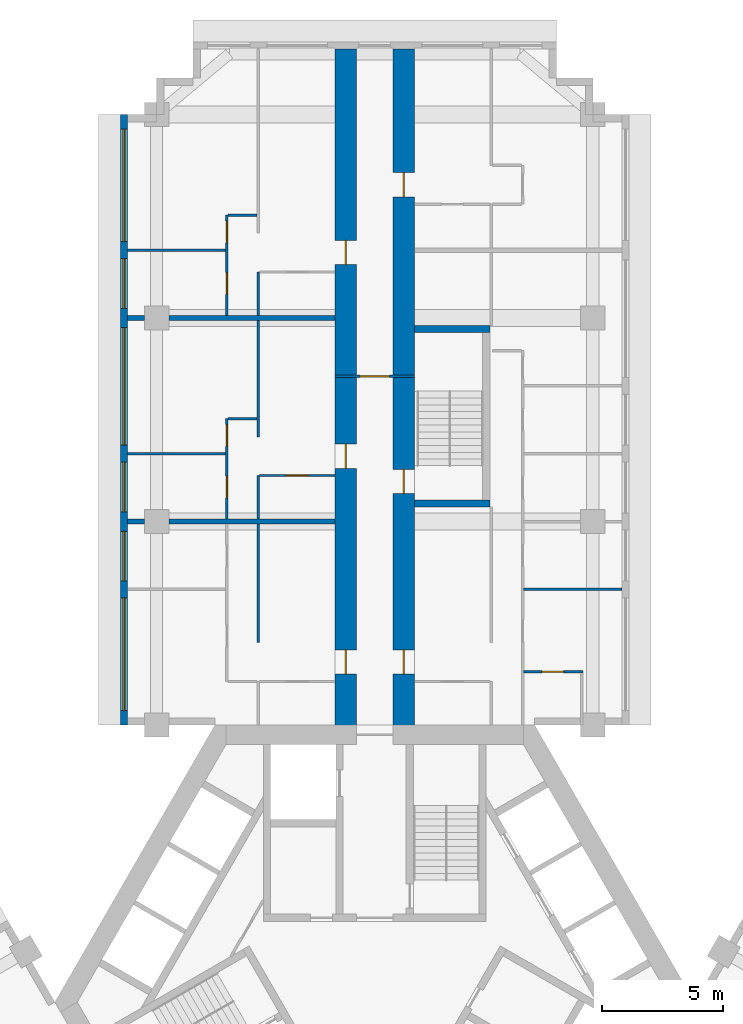
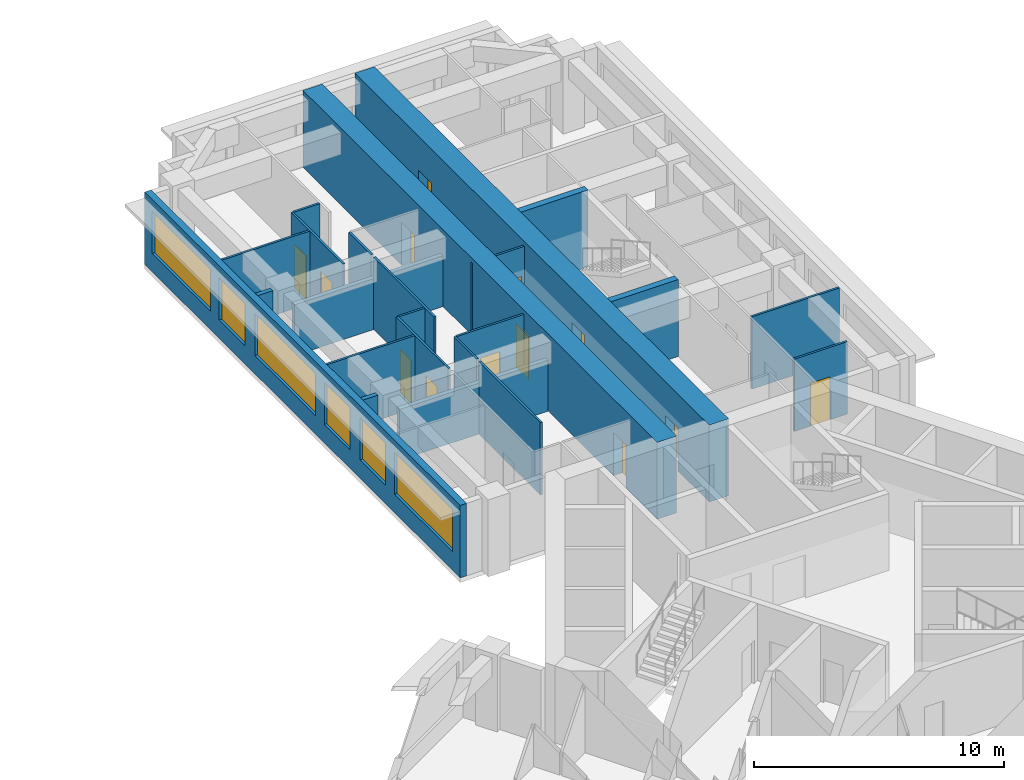
# One storey, part 9 of 14: 23 walls, 13 doors, 6 windows, 19 openings.
"""IFC4 building model written with IfcOpenShell, lengths in metres."""

from ifc_helpers import new_model, si_unit, direction, frame, frame_2d, origin, place, context, subcontext, project, spatial, rectangle, extrude, material, layer, layer_set, type_object, element, fill, save


model = new_model("IFC4")

# Units and contexts
model_context = context("Model", 3, precision=1e-05, world=origin(), true_north=direction((0.0, 1.0)))
body_context = subcontext(model_context, "Body", "Model", "MODEL_VIEW")
ifc_project = project(units=[si_unit("LENGTHUNIT", "METRE"), si_unit("AREAUNIT", "SQUARE_METRE"), si_unit("VOLUMEUNIT", "CUBIC_METRE"), si_unit("PLANEANGLEUNIT", "RADIAN"), si_unit("MASSUNIT", "GRAM", prefix="KILO")], contexts=[model_context])

# Site, building, storey
site_placement = place(None, origin())
site = spatial("IfcSite", under=ifc_project, at=site_placement, CompositionType="ELEMENT")
building_placement = place(site_placement, origin())
building = spatial("IfcBuilding", under=site, at=building_placement, Name="Impinga Residences", CompositionType="ELEMENT")
storey_placement = place(building_placement, frame((0.0, 0.0, 128.5)))
storey = spatial("IfcBuildingStorey", under=building, at=storey_placement, Name="L31", CompositionType="ELEMENT", Elevation=128.5)

# Wall, openings, doors
ifc_material_1 = material(Name="Concrete C60/75", Category="concrete")
ifc_layer_1 = layer(ifc_material_1, 0.89990234375)
ifc_layer_set_1 = layer_set([ifc_layer_1], Name="Concrete C60/75")
wall_type_1 = type_object("IfcWallType", Name="BW2 corridor buttress wall, L24 to L44 900", PredefinedType="SHEAR", material=ifc_layer_set_1)
wall_1_placement = place(storey_placement, frame((-1.199951171875, 11.031494140625, 0.0), z_axis=(0.0, 0.0, 1.0), x_axis=(0.0, 1.0, 0.0)))
wall_1 = element("IfcWall", 1, at=wall_1_placement, inside=storey, type_object=wall_type_1, Name="Corridor wall BW2 NC L31", PredefinedType="SHEAR", context=body_context, shape_type="SweptSolid", body=[
    extrude(rectangle(XDim=28.300048828125, YDim=0.89990234375, at=frame_2d((14.14990234375, 0.0))), origin(), (0.0, 0.0, 1.0), 3.75),
])
opening_1_placement = place(wall_1_placement, frame((2.5, 0.0, 0.0)))
opening_1 = element("IfcOpeningElement", 2, at=opening_1_placement, cuts=wall_1, Name="Opening D1", PredefinedType="OPENING", context=body_context, shape_type="SweptSolid", body=[
    extrude(rectangle(XDim=1.0, YDim=2.10009765625, at=frame_2d((0.5, 1.050048828125))), frame((0.0, 0.4599609375, 0.0), z_axis=(0.0, -1.0, 0.0), x_axis=(1.0, 0.0, 0.0)), (0.0, 0.0, 1.0), 0.919921875),
])
opening_2_placement = place(wall_1_placement, frame((11.0, 0.0, 0.0)))
opening_2 = element("IfcOpeningElement", 3, at=opening_2_placement, cuts=wall_1, Name="Opening D1", PredefinedType="OPENING", context=body_context, shape_type="SweptSolid", body=[
    extrude(rectangle(XDim=1.0, YDim=2.10009765625, at=frame_2d((0.5, 1.050048828125))), frame((0.0, 0.4599609375, 0.0), z_axis=(0.0, -1.0, 0.0), x_axis=(1.0, 0.0, 0.0)), (0.0, 0.0, 1.0), 0.919921875),
])
opening_3_placement = place(wall_1_placement, frame((19.39990234375, 0.0, 0.0)))
opening_3 = element("IfcOpeningElement", 4, at=opening_3_placement, cuts=wall_1, Name="Opening D1", PredefinedType="OPENING", context=body_context, shape_type="SweptSolid", body=[
    extrude(rectangle(XDim=1.0, YDim=2.10009765625, at=frame_2d((0.5, 1.050048828125))), frame((0.0, 0.4599609375, 0.0), z_axis=(0.0, -1.0, 0.0), x_axis=(1.0, 0.0, 0.0)), (0.0, 0.0, 1.0), 0.919921875),
])
ifc_material_2 = material(Name="Timber door set", Category="wood")
door_type_1 = type_object("IfcDoorType", Name="D1 apartment entrance door 1000x2100", OperationType="SINGLE_SWING_LEFT", PredefinedType="DOOR", material=ifc_material_2)
door_1_placement = place(opening_1_placement, origin())
door_1 = element("IfcDoor", 5, at=door_1_placement, inside=storey, type_object=door_type_1, Name="Apartment L31-NA1 entrance", OperationType="SINGLE_SWING_LEFT", OverallHeight=2.10009765625, OverallWidth=1.0, PredefinedType="DOOR", context=body_context, shape_type="SweptSolid", body=[
    extrude(rectangle(XDim=1.0, YDim=2.10009765625, at=frame_2d((0.5, 1.050048828125))), frame((0.0, 0.02490234375, 0.0), z_axis=(0.0, -1.0, 0.0), x_axis=(1.0, 0.0, 0.0)), (0.0, 0.0, 1.0), 0.050048828125),
])
fill(opening_1, door_1)
door_2_placement = place(opening_2_placement, origin())
door_2 = element("IfcDoor", 6, at=door_2_placement, inside=storey, type_object=door_type_1, Name="Apartment L31-NA2 entrance", OperationType="SINGLE_SWING_LEFT", OverallHeight=2.10009765625, OverallWidth=1.0, PredefinedType="DOOR", context=body_context, shape_type="SweptSolid", body=[
    extrude(rectangle(XDim=1.0, YDim=2.10009765625, at=frame_2d((0.5, 1.050048828125))), frame((0.0, 0.02490234375, 0.0), z_axis=(0.0, -1.0, 0.0), x_axis=(1.0, 0.0, 0.0)), (0.0, 0.0, 1.0), 0.050048828125),
])
fill(opening_2, door_2)
door_3_placement = place(opening_3_placement, origin())
door_3 = element("IfcDoor", 7, at=door_3_placement, inside=storey, type_object=door_type_1, Name="Apartment L31-NA3 entrance", OperationType="SINGLE_SWING_RIGHT", OverallHeight=2.10009765625, OverallWidth=1.0, PredefinedType="DOOR", context=body_context, shape_type="SweptSolid", body=[
    extrude(rectangle(XDim=1.0, YDim=2.10009765625, at=frame_2d((0.5, 1.050048828125))), frame((0.0, 0.02490234375, 0.0), z_axis=(0.0, -1.0, 0.0), x_axis=(1.0, 0.0, 0.0)), (0.0, 0.0, 1.0), 0.050048828125),
])
fill(opening_3, door_3)

wall_2_placement = place(storey_placement, frame((1.199951171875, 11.031494140625, 0.0), z_axis=(0.0, 0.0, 1.0), x_axis=(0.0, 1.0, 0.0)))
wall_2 = element("IfcWall", 8, at=wall_2_placement, inside=storey, type_object=wall_type_1, Name="Corridor wall BW2 ND L31", PredefinedType="SHEAR", context=body_context, shape_type="SweptSolid", body=[
    extrude(rectangle(XDim=28.300048828125, YDim=0.89990234375, at=frame_2d((14.14990234375, 0.0))), origin(), (0.0, 0.0, 1.0), 3.75),
])
opening_4_placement = place(wall_2_placement, frame((9.949951171875, 0.0, 0.0)))
opening_4 = element("IfcOpeningElement", 9, at=opening_4_placement, cuts=wall_2, Name="Opening D5", PredefinedType="OPENING", context=body_context, shape_type="SweptSolid", body=[
    extrude(rectangle(XDim=1.0, YDim=2.10009765625, at=frame_2d((0.5, 1.050048828125))), frame((0.0, 0.4599609375, 0.0), z_axis=(0.0, -1.0, 0.0), x_axis=(1.0, 0.0, 0.0)), (0.0, 0.0, 1.0), 0.919921875),
])
opening_5_placement = place(wall_2_placement, frame((2.5, 0.0, 0.0)))
opening_5 = element("IfcOpeningElement", 10, at=opening_5_placement, cuts=wall_2, Name="Opening D1", PredefinedType="OPENING", context=body_context, shape_type="SweptSolid", body=[
    extrude(rectangle(XDim=1.0, YDim=2.10009765625, at=frame_2d((0.5, 1.050048828125))), frame((0.0, 0.4599609375, 0.0), z_axis=(0.0, -1.0, 0.0), x_axis=(1.0, 0.0, 0.0)), (0.0, 0.0, 1.0), 0.919921875),
])
opening_6_placement = place(wall_2_placement, frame((22.199951171875, 0.0, 0.0)))
opening_6 = element("IfcOpeningElement", 11, at=opening_6_placement, cuts=wall_2, Name="Opening D1", PredefinedType="OPENING", context=body_context, shape_type="SweptSolid", body=[
    extrude(rectangle(XDim=1.0, YDim=2.10009765625, at=frame_2d((0.5, 1.050048828125))), frame((0.0, 0.4599609375, 0.0), z_axis=(0.0, -1.0, 0.0), x_axis=(1.0, 0.0, 0.0)), (0.0, 0.0, 1.0), 0.919921875),
])
door_4_placement = place(opening_5_placement, origin())
door_4 = element("IfcDoor", 12, at=door_4_placement, inside=storey, type_object=door_type_1, Name="Apartment L31-NF1 entrance", OperationType="SINGLE_SWING_LEFT", OverallHeight=2.10009765625, OverallWidth=1.0, PredefinedType="DOOR", context=body_context, shape_type="SweptSolid", body=[
    extrude(rectangle(XDim=1.0, YDim=2.10009765625, at=frame_2d((0.5, 1.050048828125))), frame((0.0, 0.02490234375, 0.0), z_axis=(0.0, -1.0, 0.0), x_axis=(1.0, 0.0, 0.0)), (0.0, 0.0, 1.0), 0.050048828125),
])
fill(opening_5, door_4)
door_5_placement = place(opening_6_placement, origin())
door_5 = element("IfcDoor", 13, at=door_5_placement, inside=storey, type_object=door_type_1, Name="Apartment L31-NF2 entrance", OperationType="SINGLE_SWING_RIGHT", OverallHeight=2.10009765625, OverallWidth=1.0, PredefinedType="DOOR", context=body_context, shape_type="SweptSolid", body=[
    extrude(rectangle(XDim=1.0, YDim=2.10009765625, at=frame_2d((0.5, 1.050048828125))), frame((0.0, 0.02490234375, 0.0), z_axis=(0.0, -1.0, 0.0), x_axis=(1.0, 0.0, 0.0)), (0.0, 0.0, 1.0), 0.050048828125),
])
fill(opening_6, door_5)
door_type_2 = type_object("IfcDoorType", Name="D5 stair door 1000x2100", OperationType="SINGLE_SWING_LEFT", PredefinedType="DOOR", material=ifc_material_2)
door_6_placement = place(opening_4_placement, origin())
door_6 = element("IfcDoor", 14, at=door_6_placement, inside=storey, type_object=door_type_2, Name="Wing stair door N", OperationType="SINGLE_SWING_LEFT", OverallHeight=2.10009765625, OverallWidth=1.0, PredefinedType="DOOR", context=body_context, shape_type="SweptSolid", body=[
    extrude(rectangle(XDim=1.0, YDim=2.10009765625, at=frame_2d((0.5, 1.050048828125))), frame((0.0, 0.02490234375, 0.0), z_axis=(0.0, -1.0, 0.0), x_axis=(1.0, 0.0, 0.0)), (0.0, 0.0, 1.0), 0.050048828125),
])
fill(opening_4, door_6)

# Wall, opening, door
ifc_material_3 = material(Name="Concrete blockwork", Category="masonry")
ifc_layer_2 = layer(ifc_material_3, 0.10009765625)
ifc_layer_set_2 = layer_set([ifc_layer_2], Name="CP1 core room partition, blockwork 100")
wall_type_2 = type_object("IfcWallType", Name="CP1 core room partition, blockwork 100", PredefinedType="PARTITIONING", material=ifc_layer_set_2)
wall_3_placement = place(storey_placement, frame((-1.64990234375, 25.83154296875, 0.0), z_axis=(0.0, 0.0, 1.0), x_axis=(1.0, 0.0, 0.0)))
wall_3 = element("IfcWall", 15, at=wall_3_placement, inside=storey, type_object=wall_type_2, Name="Core room partition, blockwork L31:N:PLB", PredefinedType="PARTITIONING", context=body_context, shape_type="SweptSolid", body=[
    extrude(rectangle(XDim=3.2998046875, YDim=0.10009765625, at=frame_2d((1.64990234375, 0.0))), origin(), (0.0, 0.0, 1.0), 3.530029296875),
])
opening_7_placement = place(wall_3_placement, frame((1.050048828125, 0.0, 0.0)))
opening_7 = element("IfcOpeningElement", 16, at=opening_7_placement, cuts=wall_3, Name="Opening D3", PredefinedType="OPENING", context=body_context, shape_type="SweptSolid", body=[
    extrude(rectangle(XDim=1.199951171875, YDim=2.10009765625, at=frame_2d((0.60009765625, 1.050048828125))), frame((0.0, 0.06005859375, 0.0), z_axis=(0.0, -1.0, 0.0), x_axis=(1.0, 0.0, 0.0)), (0.0, 0.0, 1.0), 0.1201171875),
])
door_type_3 = type_object("IfcDoorType", Name="D3 room door, leaf and a half 1200x2100", OperationType="DOUBLE_SWING_LEFT", PredefinedType="DOOR", material=ifc_material_2)
door_7_placement = place(opening_7_placement, origin())
door_7 = element("IfcDoor", 17, at=door_7_placement, inside=storey, type_object=door_type_3, Name="Private lobby door N", OperationType="DOUBLE_SWING_LEFT", OverallHeight=2.10009765625, OverallWidth=1.199951171875, PredefinedType="DOOR", context=body_context, shape_type="SweptSolid", body=[
    extrude(rectangle(XDim=1.199951171875, YDim=2.10009765625, at=frame_2d((0.60009765625, 1.050048828125))), frame((0.0, 0.02490234375, 0.0), z_axis=(0.0, -1.0, 0.0), x_axis=(1.0, 0.0, 0.0)), (0.0, 0.0, 1.0), 0.050048828125),
])
fill(opening_7, door_7)

# Wall, openings, windows
ifc_material_4 = material(Name="Terracotta rainscreen on blockwork", Category="masonry")
ifc_layer_3 = layer(ifc_material_4, 0.300048828125)
ifc_layer_set_3 = layer_set([ifc_layer_3], Name="EW1 external wall, terracotta rainscreen on blockwork 300")
wall_type_3 = type_object("IfcWallType", Name="EW1 external wall, terracotta rainscreen on blockwork 300", PredefinedType="SOLIDWALL", material=ifc_layer_set_3)
wall_4_placement = place(storey_placement, frame((-10.35009765625, 11.431640625, 0.0), z_axis=(0.0, 0.0, 1.0), x_axis=(0.0, 1.0, 0.0)))
wall_4 = element("IfcWall", 18, at=wall_4_placement, inside=storey, type_object=wall_type_3, Name="External wall EW1 L31", PredefinedType="SOLIDWALL", context=body_context, shape_type="SweptSolid", body=[
    extrude(rectangle(XDim=25.199951171875, YDim=0.300048828125, at=frame_2d((12.60009765625, 0.0))), origin(), (0.0, 0.0, 1.0), 3.530029296875),
])
opening_8_placement = place(wall_4_placement, frame((0.60009765625, 0.0, 0.89990234375)))
opening_8 = element("IfcOpeningElement", 19, at=opening_8_placement, cuts=wall_4, Name="Opening W10", PredefinedType="OPENING", context=body_context, shape_type="SweptSolid", body=[
    extrude(rectangle(XDim=4.64990234375, YDim=2.050048828125, at=frame_2d((2.324951171875, 1.02490234375))), frame((0.0, 0.159912109375, 0.0), z_axis=(0.0, -1.0, 0.0), x_axis=(1.0, 0.0, 0.0)), (0.0, 0.0, 1.0), 0.320068359375),
])
opening_9_placement = place(wall_4_placement, frame((5.949951171875, 0.0, 0.89990234375)))
opening_9 = element("IfcOpeningElement", 20, at=opening_9_placement, cuts=wall_4, Name="Opening W14", PredefinedType="OPENING", context=body_context, shape_type="SweptSolid", body=[
    extrude(rectangle(XDim=2.050048828125, YDim=2.050048828125, at=frame_2d((1.02490234375, 1.02490234375))), frame((0.0, 0.159912109375, 0.0), z_axis=(0.0, -1.0, 0.0), x_axis=(1.0, 0.0, 0.0)), (0.0, 0.0, 1.0), 0.320068359375),
])
opening_10_placement = place(wall_4_placement, frame((8.800048828125, 0.0, 0.89990234375)))
opening_10 = element("IfcOpeningElement", 21, at=opening_10_placement, cuts=wall_4, Name="Opening W14", PredefinedType="OPENING", context=body_context, shape_type="SweptSolid", body=[
    extrude(rectangle(XDim=2.050048828125, YDim=2.050048828125, at=frame_2d((1.02490234375, 1.02490234375))), frame((0.0, 0.159912109375, 0.0), z_axis=(0.0, -1.0, 0.0), x_axis=(1.0, 0.0, 0.0)), (0.0, 0.0, 1.0), 0.320068359375),
])
opening_11_placement = place(wall_4_placement, frame((11.550048828125, 0.0, 0.89990234375)))
opening_11 = element("IfcOpeningElement", 22, at=opening_11_placement, cuts=wall_4, Name="Opening W6", PredefinedType="OPENING", context=body_context, shape_type="SweptSolid", body=[
    extrude(rectangle(XDim=4.85009765625, YDim=2.050048828125, at=frame_2d((2.425048828125, 1.02490234375))), frame((0.0, 0.159912109375, 0.0), z_axis=(0.0, -1.0, 0.0), x_axis=(1.0, 0.0, 0.0)), (0.0, 0.0, 1.0), 0.320068359375),
])
opening_12_placement = place(wall_4_placement, frame((17.199951171875, 0.0, 0.89990234375)))
opening_12 = element("IfcOpeningElement", 23, at=opening_12_placement, cuts=wall_4, Name="Opening W14", PredefinedType="OPENING", context=body_context, shape_type="SweptSolid", body=[
    extrude(rectangle(XDim=2.050048828125, YDim=2.050048828125, at=frame_2d((1.02490234375, 1.02490234375))), frame((0.0, 0.159912109375, 0.0), z_axis=(0.0, -1.0, 0.0), x_axis=(1.0, 0.0, 0.0)), (0.0, 0.0, 1.0), 0.320068359375),
])
opening_13_placement = place(wall_4_placement, frame((19.949951171875, 0.0, 0.89990234375)))
opening_13 = element("IfcOpeningElement", 24, at=opening_13_placement, cuts=wall_4, Name="Opening W10", PredefinedType="OPENING", context=body_context, shape_type="SweptSolid", body=[
    extrude(rectangle(XDim=4.64990234375, YDim=2.050048828125, at=frame_2d((2.324951171875, 1.02490234375))), frame((0.0, 0.159912109375, 0.0), z_axis=(0.0, -1.0, 0.0), x_axis=(1.0, 0.0, 0.0)), (0.0, 0.0, 1.0), 0.320068359375),
])
ifc_material_5 = material(Name="Aluminium window, clear double glazing", Category="aluminium")
window_type_1 = type_object("IfcWindowType", Name="W10 ribbon window 4650x2050", PartitioningType="SINGLE_PANEL", PredefinedType="WINDOW", material=ifc_material_5)
window_1_placement = place(opening_8_placement, origin())
window_1 = element("IfcWindow", 25, at=window_1_placement, inside=storey, type_object=window_type_1, Name="Window L31", OverallHeight=2.050048828125, OverallWidth=4.64990234375, PartitioningType="SINGLE_PANEL", PredefinedType="WINDOW", context=body_context, shape_type="SweptSolid", body=[
    extrude(rectangle(XDim=4.64990234375, YDim=2.050048828125, at=frame_2d((2.324951171875, 1.02490234375))), frame((0.0, 0.030029296875, 0.0), z_axis=(0.0, -1.0, 0.0), x_axis=(1.0, 0.0, 0.0)), (0.0, 0.0, 1.0), 0.06005859375),
])
fill(opening_8, window_1)
window_2_placement = place(opening_13_placement, origin())
window_2 = element("IfcWindow", 26, at=window_2_placement, inside=storey, type_object=window_type_1, Name="Window L31", OverallHeight=2.050048828125, OverallWidth=4.64990234375, PartitioningType="SINGLE_PANEL", PredefinedType="WINDOW", context=body_context, shape_type="SweptSolid", body=[
    extrude(rectangle(XDim=4.64990234375, YDim=2.050048828125, at=frame_2d((2.324951171875, 1.02490234375))), frame((0.0, 0.030029296875, 0.0), z_axis=(0.0, -1.0, 0.0), x_axis=(1.0, 0.0, 0.0)), (0.0, 0.0, 1.0), 0.06005859375),
])
fill(opening_13, window_2)
window_type_2 = type_object("IfcWindowType", Name="W14 ribbon window 2050x2050", PartitioningType="SINGLE_PANEL", PredefinedType="WINDOW", material=ifc_material_5)
window_3_placement = place(opening_9_placement, origin())
window_3 = element("IfcWindow", 27, at=window_3_placement, inside=storey, type_object=window_type_2, Name="Window L31", OverallHeight=2.050048828125, OverallWidth=2.050048828125, PartitioningType="SINGLE_PANEL", PredefinedType="WINDOW", context=body_context, shape_type="SweptSolid", body=[
    extrude(rectangle(XDim=2.050048828125, YDim=2.050048828125, at=frame_2d((1.02490234375, 1.02490234375))), frame((0.0, 0.030029296875, 0.0), z_axis=(0.0, -1.0, 0.0), x_axis=(1.0, 0.0, 0.0)), (0.0, 0.0, 1.0), 0.06005859375),
])
fill(opening_9, window_3)
window_4_placement = place(opening_10_placement, origin())
window_4 = element("IfcWindow", 28, at=window_4_placement, inside=storey, type_object=window_type_2, Name="Window L31", OverallHeight=2.050048828125, OverallWidth=2.050048828125, PartitioningType="SINGLE_PANEL", PredefinedType="WINDOW", context=body_context, shape_type="SweptSolid", body=[
    extrude(rectangle(XDim=2.050048828125, YDim=2.050048828125, at=frame_2d((1.02490234375, 1.02490234375))), frame((0.0, 0.030029296875, 0.0), z_axis=(0.0, -1.0, 0.0), x_axis=(1.0, 0.0, 0.0)), (0.0, 0.0, 1.0), 0.06005859375),
])
fill(opening_10, window_4)
window_5_placement = place(opening_12_placement, origin())
window_5 = element("IfcWindow", 29, at=window_5_placement, inside=storey, type_object=window_type_2, Name="Window L31", OverallHeight=2.050048828125, OverallWidth=2.050048828125, PartitioningType="SINGLE_PANEL", PredefinedType="WINDOW", context=body_context, shape_type="SweptSolid", body=[
    extrude(rectangle(XDim=2.050048828125, YDim=2.050048828125, at=frame_2d((1.02490234375, 1.02490234375))), frame((0.0, 0.030029296875, 0.0), z_axis=(0.0, -1.0, 0.0), x_axis=(1.0, 0.0, 0.0)), (0.0, 0.0, 1.0), 0.06005859375),
])
fill(opening_12, window_5)
window_type_3 = type_object("IfcWindowType", Name="W6 ribbon window 4850x2050", PartitioningType="SINGLE_PANEL", PredefinedType="WINDOW", material=ifc_material_5)
window_6_placement = place(opening_11_placement, origin())
window_6 = element("IfcWindow", 30, at=window_6_placement, inside=storey, type_object=window_type_3, Name="Window L31", OverallHeight=2.050048828125, OverallWidth=4.85009765625, PartitioningType="SINGLE_PANEL", PredefinedType="WINDOW", context=body_context, shape_type="SweptSolid", body=[
    extrude(rectangle(XDim=4.85009765625, YDim=2.050048828125, at=frame_2d((2.425048828125, 1.02490234375))), frame((0.0, 0.030029296875, 0.0), z_axis=(0.0, -1.0, 0.0), x_axis=(1.0, 0.0, 0.0)), (0.0, 0.0, 1.0), 0.06005859375),
])
fill(opening_11, window_6)

# Walls
ifc_material_6 = material(Name="Gypsum board on steel studs", Category="steel")
ifc_layer_4 = layer(ifc_material_6, 0.10009765625)
ifc_layer_set_4 = layer_set([ifc_layer_4], Name="Gypsum board on steel studs")
wall_type_4 = type_object("IfcWallType", Name="IP1 partition 100", PredefinedType="PARTITIONING", material=ifc_layer_set_4)
wall_5_placement = place(storey_placement, frame((-4.800048828125, 14.83154296875, 0.0), z_axis=(0.0, 0.0, 1.0), x_axis=(0.0, 1.0, 0.0)))
element("IfcWall", 31, at=wall_5_placement, inside=storey, type_object=wall_type_4, Name="Partition L31-NA1:DIV1", PredefinedType="PARTITIONING", context=body_context, shape_type="SweptSolid", body=[
    extrude(rectangle(XDim=4.89990234375, YDim=0.10009765625, at=frame_2d((2.449951171875, 0.0))), origin(), (0.0, 0.0, 1.0), 3.530029296875),
])
wall_6_placement = place(storey_placement, frame((-4.800048828125, 19.931640625, 0.0), z_axis=(0.0, 0.0, 1.0), x_axis=(0.0, 1.0, 0.0)))
element("IfcWall", 32, at=wall_6_placement, inside=storey, type_object=wall_type_4, Name="Partition L31-NA2:DIV0", PredefinedType="PARTITIONING", context=body_context, shape_type="SweptSolid", body=[
    extrude(rectangle(XDim=1.7998046875, YDim=0.10009765625, at=frame_2d((0.89990234375, 0.0))), origin(), (0.0, 0.0, 1.0), 3.530029296875),
])
wall_7_placement = place(storey_placement, frame((-4.800048828125, 23.33154296875, 0.0), z_axis=(0.0, 0.0, 1.0), x_axis=(0.0, 1.0, 0.0)))
element("IfcWall", 33, at=wall_7_placement, inside=storey, type_object=wall_type_4, Name="Partition L31-NA2:DIV1", PredefinedType="PARTITIONING", context=body_context, shape_type="SweptSolid", body=[
    extrude(rectangle(XDim=4.800048828125, YDim=0.10009765625, at=frame_2d((2.39990234375, 0.0))), origin(), (0.0, 0.0, 1.0), 3.530029296875),
])

# Wall, openings, doors
wall_8_placement = place(storey_placement, frame((-6.10009765625, 19.931640625, 0.0), z_axis=(0.0, 0.0, 1.0), x_axis=(0.0, 1.0, 0.0)))
wall_8 = element("IfcWall", 34, at=wall_8_placement, inside=storey, type_object=wall_type_4, Name="Partition L31-NA2:STRIP", PredefinedType="PARTITIONING", context=body_context, shape_type="SweptSolid", body=[
    extrude(rectangle(XDim=4.14990234375, YDim=0.10009765625, at=frame_2d((2.074951171875, 0.0))), origin(), (0.0, 0.0, 1.0), 3.530029296875),
])
opening_14_placement = place(wall_8_placement, frame((0.875, 0.0, 0.0)))
opening_14 = element("IfcOpeningElement", 35, at=opening_14_placement, cuts=wall_8, Name="Opening D2", PredefinedType="OPENING", context=body_context, shape_type="SweptSolid", body=[
    extrude(rectangle(XDim=0.89990234375, YDim=2.10009765625, at=frame_2d((0.449951171875, 1.050048828125))), frame((0.0, 0.06005859375, 0.0), z_axis=(0.0, -1.0, 0.0), x_axis=(1.0, 0.0, 0.0)), (0.0, 0.0, 1.0), 0.1201171875),
])
opening_15_placement = place(wall_8_placement, frame((3.0, 0.0, 0.0)))
opening_15 = element("IfcOpeningElement", 36, at=opening_15_placement, cuts=wall_8, Name="Opening D2", PredefinedType="OPENING", context=body_context, shape_type="SweptSolid", body=[
    extrude(rectangle(XDim=0.89990234375, YDim=2.10009765625, at=frame_2d((0.449951171875, 1.050048828125))), frame((0.0, 0.06005859375, 0.0), z_axis=(0.0, -1.0, 0.0), x_axis=(1.0, 0.0, 0.0)), (0.0, 0.0, 1.0), 0.1201171875),
])
door_type_4 = type_object("IfcDoorType", Name="D2 internal door 900x2100", OperationType="SINGLE_SWING_LEFT", PredefinedType="DOOR", material=ifc_material_2)
door_8_placement = place(opening_14_placement, origin())
door_8 = element("IfcDoor", 37, at=door_8_placement, inside=storey, type_object=door_type_4, Name="Apartment L31-NA2 room door", OperationType="SINGLE_SWING_LEFT", OverallHeight=2.10009765625, OverallWidth=0.89990234375, PredefinedType="DOOR", context=body_context, shape_type="SweptSolid", body=[
    extrude(rectangle(XDim=0.89990234375, YDim=2.10009765625, at=frame_2d((0.449951171875, 1.050048828125))), frame((0.0, 0.02490234375, 0.0), z_axis=(0.0, -1.0, 0.0), x_axis=(1.0, 0.0, 0.0)), (0.0, 0.0, 1.0), 0.050048828125),
])
fill(opening_14, door_8)
door_9_placement = place(opening_15_placement, origin())
door_9 = element("IfcDoor", 38, at=door_9_placement, inside=storey, type_object=door_type_4, Name="Apartment L31-NA2 room door", OperationType="SINGLE_SWING_RIGHT", OverallHeight=2.10009765625, OverallWidth=0.89990234375, PredefinedType="DOOR", context=body_context, shape_type="SweptSolid", body=[
    extrude(rectangle(XDim=0.89990234375, YDim=2.10009765625, at=frame_2d((0.449951171875, 1.050048828125))), frame((0.0, 0.02490234375, 0.0), z_axis=(0.0, -1.0, 0.0), x_axis=(1.0, 0.0, 0.0)), (0.0, 0.0, 1.0), 0.050048828125),
])
fill(opening_15, door_9)

# Wall
wall_9_placement = place(storey_placement, frame((-4.85009765625, 24.08154296875, 0.0), z_axis=(0.0, 0.0, 1.0), x_axis=(-1.0, 0.0, 0.0)))
element("IfcWall", 39, at=wall_9_placement, inside=storey, type_object=wall_type_4, Name="Partition L31-NA2:SE1", PredefinedType="PARTITIONING", context=body_context, shape_type="SweptSolid", body=[
    extrude(rectangle(XDim=1.199951171875, YDim=0.10009765625, at=frame_2d((0.60009765625, 0.0))), origin(), (0.0, 0.0, 1.0), 3.530029296875),
])

# Wall, opening, door
wall_10_placement = place(storey_placement, frame((-1.64990234375, 21.7314453125, 0.0), z_axis=(0.0, 0.0, 1.0), x_axis=(-1.0, 0.0, 0.0)))
wall_10 = element("IfcWall", 40, at=wall_10_placement, inside=storey, type_object=wall_type_4, Name="Partition L31-NA2:IB1", PredefinedType="PARTITIONING", context=body_context, shape_type="SweptSolid", body=[
    extrude(rectangle(XDim=3.10009765625, YDim=0.10009765625, at=frame_2d((1.550048828125, 0.0))), origin(), (0.0, 0.0, 1.0), 3.530029296875),
])
opening_16_placement = place(wall_10_placement, frame((1.10009765625, 0.0, 0.0)))
opening_16 = element("IfcOpeningElement", 41, at=opening_16_placement, cuts=wall_10, Name="Opening D2", PredefinedType="OPENING", context=body_context, shape_type="SweptSolid", body=[
    extrude(rectangle(XDim=0.89990234375, YDim=2.10009765625, at=frame_2d((0.449951171875, 1.050048828125))), frame((0.0, 0.06005859375, 0.0), z_axis=(0.0, -1.0, 0.0), x_axis=(1.0, 0.0, 0.0)), (0.0, 0.0, 1.0), 0.1201171875),
])
door_10_placement = place(opening_16_placement, origin())
door_10 = element("IfcDoor", 42, at=door_10_placement, inside=storey, type_object=door_type_4, Name="Apartment L31-NA2 bathroom door", OperationType="SINGLE_SWING_LEFT", OverallHeight=2.10009765625, OverallWidth=0.89990234375, PredefinedType="DOOR", context=body_context, shape_type="SweptSolid", body=[
    extrude(rectangle(XDim=0.89990234375, YDim=2.10009765625, at=frame_2d((0.449951171875, 1.050048828125))), frame((0.0, 0.02490234375, 0.0), z_axis=(0.0, -1.0, 0.0), x_axis=(1.0, 0.0, 0.0)), (0.0, 0.0, 1.0), 0.050048828125),
])
fill(opening_16, door_10)

# Walls
wall_11_placement = place(storey_placement, frame((-6.14990234375, 22.631591796875, 0.0), z_axis=(0.0, 0.0, 1.0), x_axis=(-1.0, 0.0, 0.0)))
element("IfcWall", 43, at=wall_11_placement, inside=storey, type_object=wall_type_4, Name="Partition L31-NA2:OB1", PredefinedType="PARTITIONING", context=body_context, shape_type="SweptSolid", body=[
    extrude(rectangle(XDim=4.050048828125, YDim=0.10009765625, at=frame_2d((2.02490234375, 0.0))), origin(), (0.0, 0.0, 1.0), 3.530029296875),
])
wall_12_placement = place(storey_placement, frame((-4.800048828125, 28.33154296875, 0.0), z_axis=(0.0, 0.0, 1.0), x_axis=(0.0, 1.0, 0.0)))
element("IfcWall", 44, at=wall_12_placement, inside=storey, type_object=wall_type_4, Name="Partition L31-NA3:DIV0", PredefinedType="PARTITIONING", context=body_context, shape_type="SweptSolid", body=[
    extrude(rectangle(XDim=1.800048828125, YDim=0.10009765625, at=frame_2d((0.89990234375, 0.0))), origin(), (0.0, 0.0, 1.0), 3.530029296875),
])

# Wall, openings, doors
wall_13_placement = place(storey_placement, frame((-6.10009765625, 28.33154296875, 0.0), z_axis=(0.0, 0.0, 1.0), x_axis=(0.0, 1.0, 0.0)))
wall_13 = element("IfcWall", 45, at=wall_13_placement, inside=storey, type_object=wall_type_4, Name="Partition L31-NA3:STRIP", PredefinedType="PARTITIONING", context=body_context, shape_type="SweptSolid", body=[
    extrude(rectangle(XDim=4.14990234375, YDim=0.10009765625, at=frame_2d((2.074951171875, 0.0))), origin(), (0.0, 0.0, 1.0), 3.530029296875),
])
opening_17_placement = place(wall_13_placement, frame((0.875, 0.0, 0.0)))
opening_17 = element("IfcOpeningElement", 46, at=opening_17_placement, cuts=wall_13, Name="Opening D2", PredefinedType="OPENING", context=body_context, shape_type="SweptSolid", body=[
    extrude(rectangle(XDim=0.89990234375, YDim=2.10009765625, at=frame_2d((0.449951171875, 1.050048828125))), frame((0.0, 0.06005859375, 0.0), z_axis=(0.0, -1.0, 0.0), x_axis=(1.0, 0.0, 0.0)), (0.0, 0.0, 1.0), 0.1201171875),
])
opening_18_placement = place(wall_13_placement, frame((3.0, 0.0, 0.0)))
opening_18 = element("IfcOpeningElement", 47, at=opening_18_placement, cuts=wall_13, Name="Opening D2", PredefinedType="OPENING", context=body_context, shape_type="SweptSolid", body=[
    extrude(rectangle(XDim=0.89990234375, YDim=2.10009765625, at=frame_2d((0.449951171875, 1.050048828125))), frame((0.0, 0.06005859375, 0.0), z_axis=(0.0, -1.0, 0.0), x_axis=(1.0, 0.0, 0.0)), (0.0, 0.0, 1.0), 0.1201171875),
])
door_11_placement = place(opening_17_placement, origin())
door_11 = element("IfcDoor", 48, at=door_11_placement, inside=storey, type_object=door_type_4, Name="Apartment L31-NA3 room door", OperationType="SINGLE_SWING_LEFT", OverallHeight=2.10009765625, OverallWidth=0.89990234375, PredefinedType="DOOR", context=body_context, shape_type="SweptSolid", body=[
    extrude(rectangle(XDim=0.89990234375, YDim=2.10009765625, at=frame_2d((0.449951171875, 1.050048828125))), frame((0.0, 0.02490234375, 0.0), z_axis=(0.0, -1.0, 0.0), x_axis=(1.0, 0.0, 0.0)), (0.0, 0.0, 1.0), 0.050048828125),
])
fill(opening_17, door_11)
door_12_placement = place(opening_18_placement, origin())
door_12 = element("IfcDoor", 49, at=door_12_placement, inside=storey, type_object=door_type_4, Name="Apartment L31-NA3 room door", OperationType="SINGLE_SWING_RIGHT", OverallHeight=2.10009765625, OverallWidth=0.89990234375, PredefinedType="DOOR", context=body_context, shape_type="SweptSolid", body=[
    extrude(rectangle(XDim=0.89990234375, YDim=2.10009765625, at=frame_2d((0.449951171875, 1.050048828125))), frame((0.0, 0.02490234375, 0.0), z_axis=(0.0, -1.0, 0.0), x_axis=(1.0, 0.0, 0.0)), (0.0, 0.0, 1.0), 0.050048828125),
])
fill(opening_18, door_12)

# Walls
wall_14_placement = place(storey_placement, frame((-4.85009765625, 32.4814453125, 0.0), z_axis=(0.0, 0.0, 1.0), x_axis=(-1.0, 0.0, 0.0)))
element("IfcWall", 50, at=wall_14_placement, inside=storey, type_object=wall_type_4, Name="Partition L31-NA3:SE1", PredefinedType="PARTITIONING", context=body_context, shape_type="SweptSolid", body=[
    extrude(rectangle(XDim=1.199951171875, YDim=0.10009765625, at=frame_2d((0.60009765625, 0.0))), origin(), (0.0, 0.0, 1.0), 3.530029296875),
])
for number, where, z_axis, x_axis, name in (
    (51, (-6.14990234375, 31.031494140625, 0.0), (0.0, 0.0, 1.0), (-1.0, 0.0, 0.0), "Partition L31-NA3:OB1"),
    (52, (6.14990234375, 17.031494140625, 0.0), (0.0, 0.0, 1.0), (1.0, 0.0, 0.0), "Partition L31-NF1:OB1"),
):
    element("IfcWall", number, at=place(storey_placement, frame(where, z_axis=z_axis, x_axis=x_axis)), inside=storey, type_object=wall_type_4, Name=name, PredefinedType="PARTITIONING", context=body_context, shape_type="SweptSolid", body=[
        extrude(rectangle(XDim=4.050048828125, YDim=0.10009765625, at=frame_2d((2.02490234375, 0.0))), origin(), (0.0, 0.0, 1.0), 3.530029296875),
    ])

# Wall, opening, door
wall_15_placement = place(storey_placement, frame((6.14990234375, 13.631591796875, 0.0), z_axis=(0.0, 0.0, 1.0), x_axis=(1.0, 0.0, 0.0)))
wall_15 = element("IfcWall", 53, at=wall_15_placement, inside=storey, type_object=wall_type_4, Name="Partition L31-NF1:EN1", PredefinedType="PARTITIONING", context=body_context, shape_type="SweptSolid", body=[
    extrude(rectangle(XDim=2.4501953125, YDim=0.10009765625, at=frame_2d((1.22509765625, 0.0))), origin(), (0.0, 0.0, 1.0), 3.530029296875),
])
opening_19_placement = place(wall_15_placement, frame((0.75, 0.0, 0.0)))
opening_19 = element("IfcOpeningElement", 54, at=opening_19_placement, cuts=wall_15, Name="Opening D2", PredefinedType="OPENING", context=body_context, shape_type="SweptSolid", body=[
    extrude(rectangle(XDim=0.89990234375, YDim=2.10009765625, at=frame_2d((0.449951171875, 1.050048828125))), frame((0.0, 0.06005859375, 0.0), z_axis=(0.0, -1.0, 0.0), x_axis=(1.0, 0.0, 0.0)), (0.0, 0.0, 1.0), 0.1201171875),
])
door_13_placement = place(opening_19_placement, origin())
door_13 = element("IfcDoor", 55, at=door_13_placement, inside=storey, type_object=door_type_4, Name="Apartment L31-NF1 en-suite door", OperationType="SINGLE_SWING_LEFT", OverallHeight=2.10009765625, OverallWidth=0.89990234375, PredefinedType="DOOR", context=body_context, shape_type="SweptSolid", body=[
    extrude(rectangle(XDim=0.89990234375, YDim=2.10009765625, at=frame_2d((0.449951171875, 1.050048828125))), frame((0.0, 0.02490234375, 0.0), z_axis=(0.0, -1.0, 0.0), x_axis=(1.0, 0.0, 0.0)), (0.0, 0.0, 1.0), 0.050048828125),
])
fill(opening_19, door_13)

# Walls
ifc_layer_5 = layer(ifc_material_3, 0.199951171875)
ifc_layer_set_5 = layer_set([ifc_layer_5], Name="PW1 party wall between apartments 200")
wall_type_5 = type_object("IfcWallType", Name="PW1 party wall between apartments 200", PredefinedType="SOLIDWALL", material=ifc_layer_set_5)
wall_16_placement = place(storey_placement, frame((-1.64990234375, 19.83154296875, 0.0), z_axis=(0.0, 0.0, 1.0), x_axis=(-1.0, 0.0, 0.0)))
element("IfcWall", 56, at=wall_16_placement, inside=storey, type_object=wall_type_5, Name="Party wall between apartments L31-NA1:PARTY", PredefinedType="SOLIDWALL", context=body_context, shape_type="SweptSolid", body=[
    extrude(rectangle(XDim=6.85009765625, YDim=0.199951171875, at=frame_2d((3.425048828125, 0.0))), origin(), (0.0, 0.0, 1.0), 2.47998046875),
])
wall_17_placement = place(storey_placement, frame((-9.5, 19.83154296875, 0.0), z_axis=(0.0, 0.0, 1.0), x_axis=(-1.0, 0.0, 0.0)))
element("IfcWall", 57, at=wall_17_placement, inside=storey, type_object=wall_type_5, Name="Party wall between apartments L31-NA1:PARTYb", PredefinedType="SOLIDWALL", context=body_context, shape_type="SweptSolid", body=[
    extrude(rectangle(XDim=0.699951171875, YDim=0.199951171875, at=frame_2d((0.35009765625, 0.0))), origin(), (0.0, 0.0, 1.0), 3.530029296875),
])
wall_18_placement = place(storey_placement, frame((-1.64990234375, 28.2314453125, 0.0), z_axis=(0.0, 0.0, 1.0), x_axis=(-1.0, 0.0, 0.0)))
element("IfcWall", 58, at=wall_18_placement, inside=storey, type_object=wall_type_5, Name="Party wall between apartments L31-NA2:PARTY", PredefinedType="SOLIDWALL", context=body_context, shape_type="SweptSolid", body=[
    extrude(rectangle(XDim=6.85009765625, YDim=0.199951171875, at=frame_2d((3.425048828125, 0.0))), origin(), (0.0, 0.0, 1.0), 2.47998046875),
])
wall_19_placement = place(storey_placement, frame((-9.5, 28.2314453125, 0.0), z_axis=(0.0, 0.0, 1.0), x_axis=(-1.0, 0.0, 0.0)))
element("IfcWall", 59, at=wall_19_placement, inside=storey, type_object=wall_type_5, Name="Party wall between apartments L31-NA2:PARTYb", PredefinedType="SOLIDWALL", context=body_context, shape_type="SweptSolid", body=[
    extrude(rectangle(XDim=0.699951171875, YDim=0.199951171875, at=frame_2d((0.35009765625, 0.0))), origin(), (0.0, 0.0, 1.0), 3.530029296875),
])
ifc_layer_6 = layer(ifc_material_1, 0.300048828125)
ifc_layer_set_6 = layer_set([ifc_layer_6], Name="Concrete C60/75")
wall_type_6 = type_object("IfcWallType", Name="SE1 wing stair enclosure wall 300", PredefinedType="SOLIDWALL", material=ifc_layer_set_6)
for number, where, z_axis, x_axis, name in (
    (60, (1.64990234375, 20.58154296875, 0.0), (0.0, 0.0, 1.0), (1.0, 0.0, 0.0), "Stair enclosure wall SE1 N END0 L31"),
    (61, (1.64990234375, 27.781494140625, 0.0), (0.0, 0.0, 1.0), (1.0, 0.0, 0.0), "Stair enclosure wall SE1 N END1 L31"),
):
    element("IfcWall", number, at=place(storey_placement, frame(where, z_axis=z_axis, x_axis=x_axis)), inside=storey, type_object=wall_type_6, Name=name, PredefinedType="SOLIDWALL", context=body_context, shape_type="SweptSolid", body=[
        extrude(rectangle(XDim=3.10009765625, YDim=0.300048828125, at=frame_2d((1.550048828125, 0.0))), origin(), (0.0, 0.0, 1.0), 3.75),
    ])

save(model, "model.ifc")
